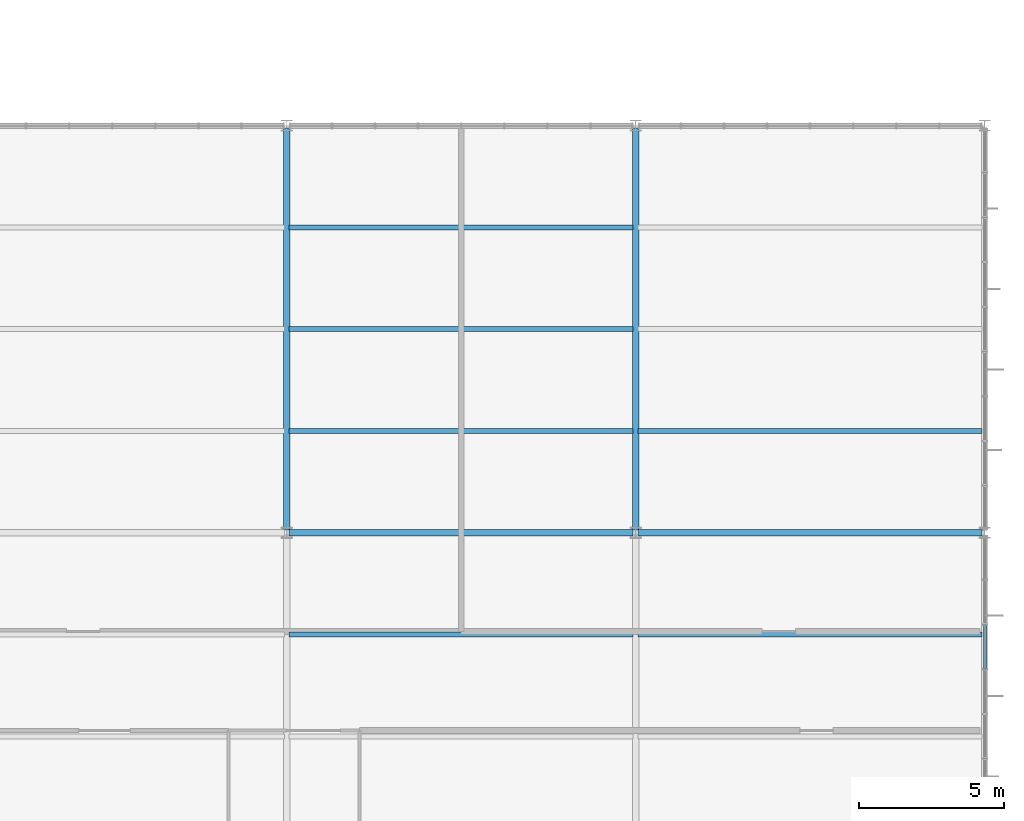
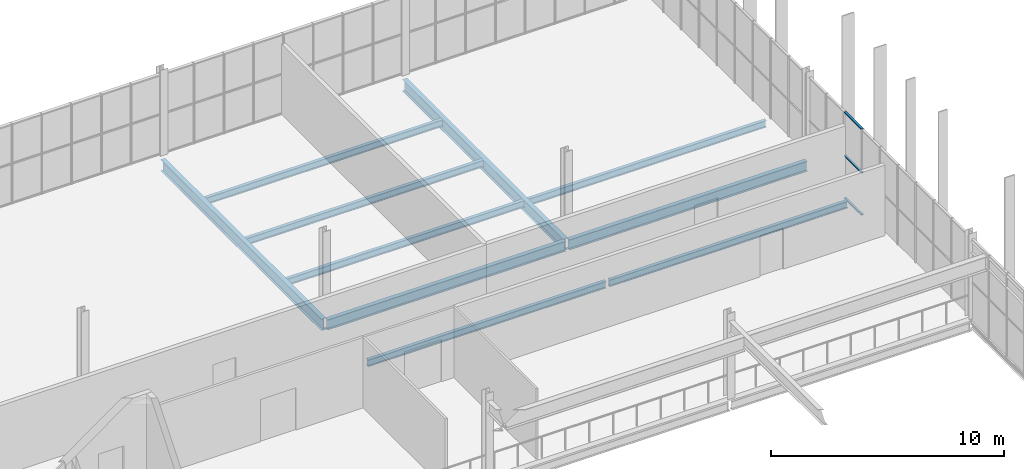
# One storey, part 205 of 324: 10 beams, 3 members, 1 element without a shape of its own.
"""IFC4 building model written with IfcOpenShell, lengths in metres."""

from ifc_helpers import new_model, si_unit, direction, frame, origin, origin_2d, place, context, subcontext, project, spatial, hollow_rectangle, i_section, extrude, material, layer, layer_set, material_profile, profile_set, type_object, element, aggregate, save


model = new_model("IFC4")

# Units and contexts
model_context = context("Model", 3, precision=1e-05, world=origin(), true_north=direction((0.0, 1.0)))
body_context = subcontext(model_context, "Body", "Model", "MODEL_VIEW")
ifc_project = project(units=[si_unit("LENGTHUNIT", "METRE"), si_unit("AREAUNIT", "SQUARE_METRE"), si_unit("VOLUMEUNIT", "CUBIC_METRE"), si_unit("PLANEANGLEUNIT", "RADIAN"), si_unit("MASSUNIT", "GRAM", prefix="KILO")], contexts=[model_context])

# Site, building, storey
site_placement = place(None, origin())
site = spatial("IfcSite", under=ifc_project, at=site_placement, CompositionType="ELEMENT")
building_placement = place(site_placement, origin())
building = spatial("IfcBuilding", under=site, at=building_placement, Name="Solvenia Promenade Tram Depot", CompositionType="ELEMENT")
storey_placement = place(building_placement, frame((0.0, 0.0, 4.5)))
storey = spatial("IfcBuildingStorey", under=building, at=storey_placement, Name="L01", CompositionType="ELEMENT", Elevation=4.5)

# Curtain wall, members
ifc_material_1 = material(Name="Anodized aluminium AW-6063 T6", Category="aluminium")
ifc_layer = layer(ifc_material_1, 0.080078125, Name="Anodized aluminium AW-6063 T6", Category="aluminium")
ifc_layer_set = layer_set([ifc_layer], Name="Anodized aluminium AW-6063 T6")
curtain_wall_type = type_object("IfcCurtainWallType", Name="CW-Clerest-1500", PredefinedType="NOTDEFINED", material=ifc_layer_set)
curtain_wall_placement = place(storey_placement, origin())
curtain_wall = element("IfcCurtainWall", 1, at=curtain_wall_placement, inside=storey, type_object=curtain_wall_type, Name="Curtain Wall CW-V2E-L1-2", PredefinedType="NOTDEFINED")
ifc_material_profile_1 = material_profile(ifc_material_1, hollow_rectangle(XDim=0.110107421875, YDim=0.054931640625, WallThickness=0.00390625, at=origin_2d()), Name="ALU-T4", Category="aluminium")
ifc_profile_set_1 = profile_set([ifc_material_profile_1], Name="Anodized aluminium AW-6063 T6")
member_type = type_object("IfcMemberType", Name="CWT-Transom-4", PredefinedType="USERDEFINED", material=ifc_profile_set_1)
member_1_placement = place(storey_placement, frame((186.0, 47.334228515625, -0.322509765625), z_axis=(0.0, 1.0, 0.0), x_axis=(-1.0, 0.0, 0.0)))
member_1 = element("IfcMember", 2, at=member_1_placement, type_object=member_type, Name="CW-4 transom 7.1", ObjectType="TRANSOM", PredefinedType="USERDEFINED", context=body_context, shape_type="SweptSolid", body=[
    extrude(hollow_rectangle(XDim=0.110107421875, YDim=0.054931640625, WallThickness=0.00390625, at=origin_2d()), origin(), (0.0, 0.0, 1.0), 1.482666015625),
])
member_2_placement = place(storey_placement, frame((186.0, 47.334228515625, 1.89990234375), z_axis=(0.0, 1.0, 0.0), x_axis=(-1.0, 0.0, 0.0)))
member_2 = element("IfcMember", 3, at=member_2_placement, type_object=member_type, Name="CW-4 transom 7.2", ObjectType="TRANSOM", PredefinedType="USERDEFINED", context=body_context, shape_type="SweptSolid", body=[
    extrude(hollow_rectangle(XDim=0.110107421875, YDim=0.054931640625, WallThickness=0.00390625, at=origin_2d()), origin(), (0.0, 0.0, 1.0), 1.482666015625),
])
member_3_placement = place(storey_placement, frame((186.0, 47.334228515625, 4.172607421875), z_axis=(0.0, 1.0, 0.0), x_axis=(-1.0, 0.0, 0.0)))
member_3 = element("IfcMember", 4, at=member_3_placement, type_object=member_type, Name="CW-4 transom 7.3", ObjectType="TRANSOM", PredefinedType="USERDEFINED", context=body_context, shape_type="SweptSolid", body=[
    extrude(hollow_rectangle(XDim=0.110107421875, YDim=0.054931640625, WallThickness=0.00390625, at=origin_2d()), origin(), (0.0, 0.0, 1.0), 1.482666015625),
])
aggregate(curtain_wall, [member_1, member_2, member_3])

# Beams
ifc_material_2 = material(Name="Structural steel ASTM A992 Gr. 50", Category="steel")
ifc_material_profile_2 = material_profile(ifc_material_2, i_section(OverallWidth=0.2099609375, OverallDepth=0.537109375, WebThickness=0.010986328125, FlangeThickness=0.017333984375, FilletRadius=0.013916015625, at=origin_2d()), Name="W530x101", Category="steel")
ifc_profile_set_2 = profile_set([ifc_material_profile_2], Name="Structural steel ASTM A992 Gr. 50")
beam_type_1 = type_object("IfcBeamType", Name="Gird-W530x101", PredefinedType="BEAM", material=ifc_profile_set_2)
for number, where, z_axis, x_axis, name in (
    (5, (162.0849609375, 52.0, -0.508544921875), (1.0, 0.0, 0.0), (0.0, 1.0, 0.0), "Primary Girder BM-L01-0136"),
    (6, (174.0849609375, 52.0, -0.508544921875), (1.0, 0.0, 0.0), (0.0, 1.0, 0.0), "Primary Girder BM-L01-0137"),
):
    element("IfcBeam", number, at=place(storey_placement, frame(where, z_axis=z_axis, x_axis=x_axis)), inside=storey, type_object=beam_type_1, Name=name, PredefinedType="BEAM", context=body_context, shape_type="SweptSolid", body=[
        extrude(i_section(OverallWidth=0.2099609375, OverallDepth=0.537109375, WebThickness=0.010986328125, FlangeThickness=0.017333984375, FilletRadius=0.013916015625, at=origin_2d()), origin(), (0.0, 0.0, 1.0), 11.830078125),
    ])
ifc_material_profile_3 = material_profile(ifc_material_2, i_section(OverallWidth=0.22900390625, OverallDepth=0.612060546875, WebThickness=0.011962890625, FlangeThickness=0.01953125, FilletRadius=0.014892578125, at=origin_2d()), Name="W610x125", Category="steel")
ifc_profile_set_3 = profile_set([ifc_material_profile_3], Name="Structural steel ASTM A992 Gr. 50")
beam_type_2 = type_object("IfcBeamType", Name="Gird-W610x125", PredefinedType="BEAM", material=ifc_profile_set_3)
for number, where, z_axis, x_axis, name in (
    (7, (162.0, 52.0849609375, -0.5458984375), (0.0, 1.0, 0.0), (-1.0, 0.0, 0.0), "Transverse Girder BM-L01-0156"),
    (8, (174.0, 52.0849609375, -0.5458984375), (0.0, 1.0, 0.0), (-1.0, 0.0, 0.0), "Transverse Girder BM-L01-0158"),
):
    element("IfcBeam", number, at=place(storey_placement, frame(where, z_axis=z_axis, x_axis=x_axis)), inside=storey, type_object=beam_type_2, Name=name, PredefinedType="BEAM", context=body_context, shape_type="SweptSolid", body=[
        extrude(i_section(OverallWidth=0.22900390625, OverallDepth=0.612060546875, WebThickness=0.011962890625, FlangeThickness=0.01953125, FilletRadius=0.014892578125, at=origin_2d()), origin(), (0.0, 0.0, 1.0), 13.830078125),
    ])
ifc_material_profile_4 = material_profile(ifc_material_2, i_section(OverallWidth=0.172119140625, OverallDepth=0.35791015625, WebThickness=0.0078125, FlangeThickness=0.01318359375, FilletRadius=0.010986328125, at=origin_2d()), Name="W360x57", Category="steel")
ifc_profile_set_4 = profile_set([ifc_material_profile_4], Name="Structural steel ASTM A992 Gr. 50")
beam_type_3 = type_object("IfcBeamType", Name="Joist-W360x57", PredefinedType="JOIST", material=ifc_profile_set_4)
for number, where, z_axis, x_axis, name in (
    (9, (162.0849609375, 48.5, -0.4189453125), (1.0, 0.0, 0.0), (0.0, 1.0, 0.0), "Secondary Floor Joist BM-L01-0201"),
    (10, (162.0849609375, 55.5, -0.4189453125), (1.0, 0.0, 0.0), (0.0, 1.0, 0.0), "Secondary Floor Joist BM-L01-0202"),
    (11, (162.0849609375, 59.0, -0.4189453125), (1.0, 0.0, 0.0), (0.0, 1.0, 0.0), "Secondary Floor Joist BM-L01-0203"),
    (12, (162.0849609375, 62.5, -0.4189453125), (1.0, 0.0, 0.0), (0.0, 1.0, 0.0), "Secondary Floor Joist BM-L01-0204"),
    (13, (174.0849609375, 48.5, -0.4189453125), (1.0, 0.0, 0.0), (0.0, 1.0, 0.0), "Secondary Floor Joist BM-L01-0207"),
    (14, (174.0849609375, 55.5, -0.4189453125), (1.0, 0.0, 0.0), (0.0, 1.0, 0.0), "Secondary Floor Joist BM-L01-0208"),
):
    element("IfcBeam", number, at=place(storey_placement, frame(where, z_axis=z_axis, x_axis=x_axis)), inside=storey, type_object=beam_type_3, Name=name, PredefinedType="JOIST", context=body_context, shape_type="SweptSolid", body=[
        extrude(i_section(OverallWidth=0.172119140625, OverallDepth=0.35791015625, WebThickness=0.0078125, FlangeThickness=0.01318359375, FilletRadius=0.010986328125, at=origin_2d()), origin(), (0.0, 0.0, 1.0), 11.830078125),
    ])

save(model, "model.ifc")
